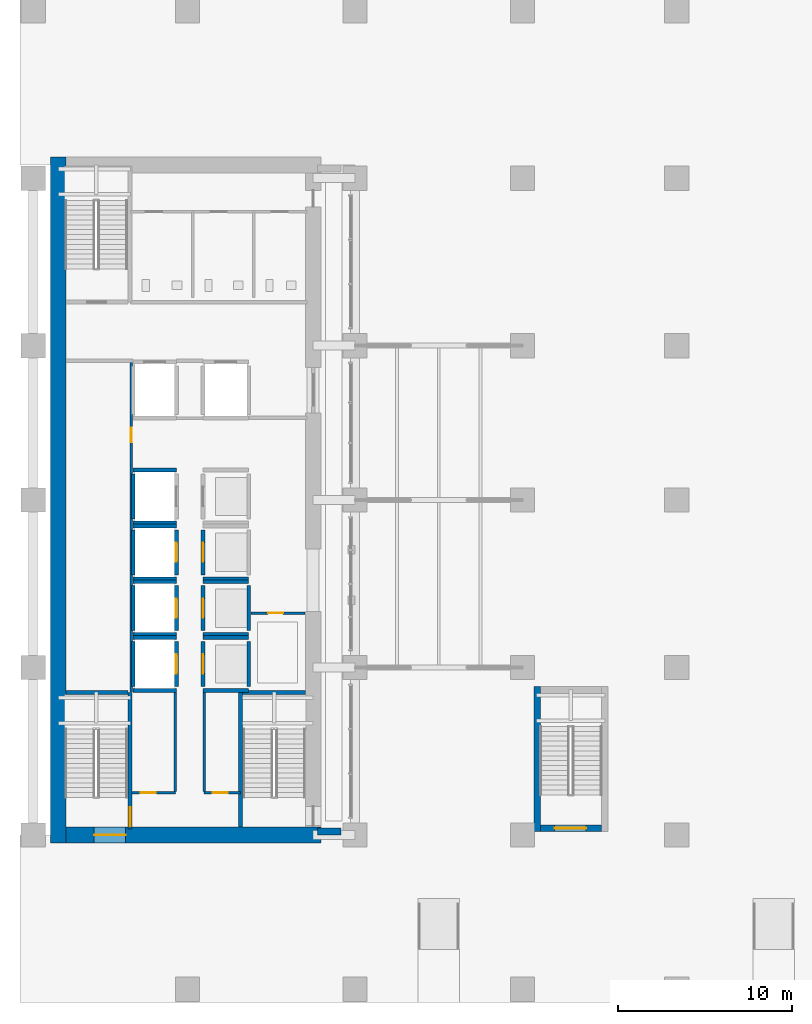
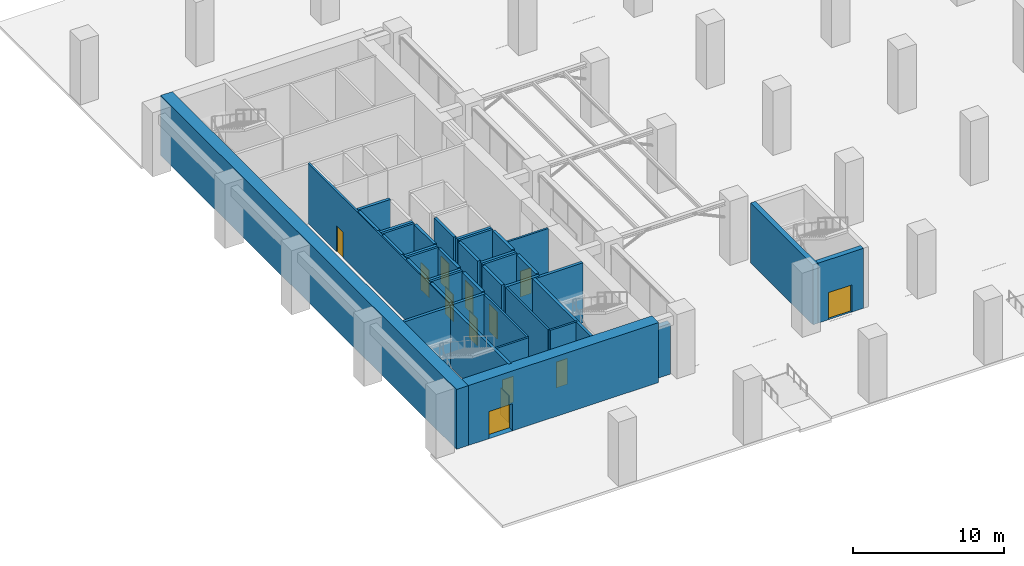
# One storey, part 4 of 24: 40 walls, 13 doors, 13 openings.
"""IFC4 building model written with IfcOpenShell, lengths in metres."""

from ifc_helpers import new_model, si_unit, direction, frame, frame_2d, origin, place, context, subcontext, project, spatial, rectangle, extrude, material, layer, layer_set, type_object, element, fill, save


model = new_model("IFC4")

# Units and contexts
model_context = context("Model", 3, precision=1e-05, world=origin(), true_north=direction((0.0, 1.0)))
body_context = subcontext(model_context, "Body", "Model", "MODEL_VIEW")
ifc_project = project(units=[si_unit("LENGTHUNIT", "METRE"), si_unit("AREAUNIT", "SQUARE_METRE"), si_unit("VOLUMEUNIT", "CUBIC_METRE"), si_unit("PLANEANGLEUNIT", "RADIAN"), si_unit("MASSUNIT", "GRAM", prefix="KILO")], contexts=[model_context])

# Site, building, storey
site_placement = place(None, origin())
site = spatial("IfcSite", under=ifc_project, at=site_placement, CompositionType="ELEMENT")
building_placement = place(site_placement, origin())
building = spatial("IfcBuilding", under=site, at=building_placement, Name="Norrvale University Quadrangle", CompositionType="ELEMENT")
storey_placement = place(building_placement, origin())
storey = spatial("IfcBuildingStorey", under=building, at=storey_placement, Name="L00", CompositionType="ELEMENT", Elevation=0.0)

# Wall, opening, door
ifc_material_1 = material(Name="Concrete C80/95", Category="concrete")
ifc_layer_1 = layer(ifc_material_1, 0.89990234375, Name="Concrete C80/95")
ifc_layer_set_1 = layer_set([ifc_layer_1], Name="Concrete C80/95")
wall_type_1 = type_object("IfcWallType", Name="Wall Core 900", PredefinedType="SHEAR", material=ifc_layer_set_1)
wall_1_placement = place(storey_placement, frame((2.64990234375, 9.60009765625, 0.0), z_axis=(0.0, 0.0, 1.0), x_axis=(1.0, 0.0, 0.0)))
wall_1 = element("IfcWall", 1, at=wall_1_placement, inside=storey, type_object=wall_type_1, Name="Tower Core Shear Wall L00-S", PredefinedType="SHEAR", context=body_context, shape_type="SweptSolid", body=[
    extrude(rectangle(XDim=14.60009765625, YDim=0.89990234375, at=frame_2d((7.300048828125, 0.0))), origin(), (0.0, 0.0, 1.0), 4.860107421875),
])
opening_1_placement = place(wall_1_placement, frame((1.60009765625, 0.0, 0.0)))
opening_1 = element("IfcOpeningElement", 2, at=opening_1_placement, cuts=wall_1, Name="Opening D03", PredefinedType="OPENING", context=body_context, shape_type="SweptSolid", body=[
    extrude(rectangle(XDim=1.800048828125, YDim=2.199951171875, at=frame_2d((0.89990234375, 1.10009765625))), frame((0.0, 0.4619140625, 0.0), z_axis=(0.0, -1.0, 0.0), x_axis=(1.0, 0.0, 0.0)), (0.0, 0.0, 1.0), 0.923828125),
])
ifc_material_2 = material(Name="Hollow Steel 350W Fire Door", Category="steel")
door_type_1 = type_object("IfcDoorType", Name="Door Fire Lobby 1800x2200", OperationType="DOUBLE_DOOR_SINGLE_SWING", PredefinedType="DOOR", material=ifc_material_2)
door_1_placement = place(opening_1_placement, frame((1.800048828125, 0.0, 0.0), z_axis=(0.0, 0.0, 1.0), x_axis=(-1.0, 0.0, 0.0)))
door_1 = element("IfcDoor", 3, at=door_1_placement, inside=storey, type_object=door_type_1, Name="Door Fire Lobby 1800x2200 DR-L00-ST01-EX", OperationType="DOUBLE_DOOR_SINGLE_SWING", OverallHeight=2.199951171875, OverallWidth=1.800048828125, PredefinedType="DOOR", context=body_context, shape_type="SweptSolid", body=[
    extrude(rectangle(XDim=1.800048828125, YDim=2.199951171875, at=frame_2d((0.89990234375, 1.10009765625))), frame((0.0, 0.02490234375, 0.0), z_axis=(0.0, -1.0, 0.0), x_axis=(1.0, 0.0, 0.0)), (0.0, 0.0, 1.0), 0.050048828125),
])
fill(opening_1, door_1)

# Wall
wall_2_placement = place(storey_placement, frame((2.199951171875, 9.14990234375, 0.0), z_axis=(0.0, 0.0, 1.0), x_axis=(0.0, 1.0, 0.0)))
element("IfcWall", 4, at=wall_2_placement, inside=storey, type_object=wall_type_1, Name="Tower Core Shear Wall L00-W", PredefinedType="SHEAR", context=body_context, shape_type="SweptSolid", body=[
    extrude(rectangle(XDim=39.300048828125, YDim=0.89990234375, at=frame_2d((19.64990234375, 0.0))), origin(), (0.0, 0.0, 1.0), 4.860107421875),
])

# Wall, opening, door
ifc_material_3 = material(Name="Fire-Rated Gypsum Stud Partition")
ifc_layer_2 = layer(ifc_material_3, 0.14990234375, Name="Fire-Rated Gypsum Stud Partition")
ifc_layer_set_2 = layer_set([ifc_layer_2], Name="Fire-Rated Gypsum Stud Partition")
wall_type_2 = type_object("IfcWallType", Name="Wall Gypsum Corridor 150", PredefinedType="PARTITIONING", material=ifc_layer_set_2)
wall_3_placement = place(storey_placement, frame((6.419921875, 12.02001953125, 0.0), z_axis=(0.0, 0.0, 1.0), x_axis=(1.0, 0.0, 0.0)))
wall_3 = element("IfcWall", 5, at=wall_3_placement, inside=storey, type_object=wall_type_2, Name="Interior Partition WL-L00-SC-NL", PredefinedType="PARTITIONING", context=body_context, shape_type="SweptSolid", body=[
    extrude(rectangle(XDim=2.47998046875, YDim=0.14990234375, at=frame_2d((1.239990234375, 0.0))), origin(), (0.0, 0.0, 1.0), 4.860107421875),
])
opening_2_placement = place(wall_3_placement, frame((0.5, 0.0, 0.0)))
opening_2 = element("IfcOpeningElement", 6, at=opening_2_placement, cuts=wall_3, Name="Opening D10", PredefinedType="OPENING", context=body_context, shape_type="SweptSolid", body=[
    extrude(rectangle(XDim=0.85009765625, YDim=2.10009765625, at=frame_2d((0.425048828125, 1.050048828125))), frame((0.0, 0.0869140625, 0.0), z_axis=(0.0, -1.0, 0.0), x_axis=(1.0, 0.0, 0.0)), (0.0, 0.0, 1.0), 0.173828125),
])
ifc_material_4 = material(Name="Hollow Steel 350W Riser Fire Door", Category="steel")
door_type_2 = type_object("IfcDoorType", Name="Door Riser 850x2100", OperationType="NOTDEFINED", PredefinedType="DOOR", material=ifc_material_4)
door_2_placement = place(opening_2_placement, origin())
door_2 = element("IfcDoor", 7, at=door_2_placement, inside=storey, type_object=door_type_2, Name="Door Riser 850x2100 DR-L00-ELEC", OperationType="SINGLE_SWING_LEFT", OverallHeight=2.10009765625, OverallWidth=0.85009765625, PredefinedType="DOOR", context=body_context, shape_type="SweptSolid", body=[
    extrude(rectangle(XDim=0.85009765625, YDim=2.10009765625, at=frame_2d((0.425048828125, 1.050048828125))), frame((0.0, 0.02490234375, 0.0), z_axis=(0.0, -1.0, 0.0), x_axis=(1.0, 0.0, 0.0)), (0.0, 0.0, 1.0), 0.050048828125),
])
fill(opening_2, door_2)

wall_4_placement = place(storey_placement, frame((10.550048828125, 12.02001953125, 0.0), z_axis=(0.0, 0.0, 1.0), x_axis=(1.0, 0.0, 0.0)))
wall_4 = element("IfcWall", 8, at=wall_4_placement, inside=storey, type_object=wall_type_2, Name="Interior Partition WL-L00-SC-NR", PredefinedType="PARTITIONING", context=body_context, shape_type="SweptSolid", body=[
    extrude(rectangle(XDim=2.079833984375, YDim=0.14990234375, at=frame_2d((1.0400390625, 0.0))), origin(), (0.0, 0.0, 1.0), 4.860107421875),
])
opening_3_placement = place(wall_4_placement, frame((0.5, 0.0, 0.0)))
opening_3 = element("IfcOpeningElement", 9, at=opening_3_placement, cuts=wall_4, Name="Opening D10", PredefinedType="OPENING", context=body_context, shape_type="SweptSolid", body=[
    extrude(rectangle(XDim=0.85009765625, YDim=2.10009765625, at=frame_2d((0.425048828125, 1.050048828125))), frame((0.0, 0.0869140625, 0.0), z_axis=(0.0, -1.0, 0.0), x_axis=(1.0, 0.0, 0.0)), (0.0, 0.0, 1.0), 0.173828125),
])
door_3_placement = place(opening_3_placement, origin())
door_3 = element("IfcDoor", 10, at=door_3_placement, inside=storey, type_object=door_type_2, Name="Door Riser 850x2100 DR-L00-IDF", OperationType="SINGLE_SWING_RIGHT", OverallHeight=2.10009765625, OverallWidth=0.85009765625, PredefinedType="DOOR", context=body_context, shape_type="SweptSolid", body=[
    extrude(rectangle(XDim=0.85009765625, YDim=2.10009765625, at=frame_2d((0.425048828125, 1.050048828125))), frame((0.0, 0.02490234375, 0.0), z_axis=(0.0, -1.0, 0.0), x_axis=(1.0, 0.0, 0.0)), (0.0, 0.0, 1.0), 0.050048828125),
])
fill(opening_3, door_3)

# Walls
for number, where, z_axis, x_axis, name in (
    (11, (8.89990234375, 12.094970703125, 0.0), (0.0, 0.0, 1.0), (0.0, 1.0, 0.0), "Interior Partition WL-L00-SC-WL"),
    (12, (10.550048828125, 12.094970703125, 0.0), (0.0, 0.0, 1.0), (0.0, 1.0, 0.0), "Interior Partition WL-L00-SC-WR"),
):
    element("IfcWall", number, at=place(storey_placement, frame(where, z_axis=z_axis, x_axis=x_axis)), inside=storey, type_object=wall_type_2, Name=name, PredefinedType="PARTITIONING", context=body_context, shape_type="SweptSolid", body=[
        extrude(rectangle(XDim=5.679931640625, YDim=0.14990234375, at=frame_2d((2.83984375, 0.0))), origin(), (0.0, 0.0, 1.0), 4.860107421875),
    ])

# Wall, opening, door
wall_5_placement = place(storey_placement, frame((13.22509765625, 22.320068359375, 0.0), z_axis=(0.0, 0.0, 1.0), x_axis=(1.0, 0.0, 0.0)))
wall_5 = element("IfcWall", 13, at=wall_5_placement, inside=storey, type_object=wall_type_2, Name="Interior Partition WL-L00-JAN-N", PredefinedType="PARTITIONING", context=body_context, shape_type="SweptSolid", body=[
    extrude(rectangle(XDim=3.119873046875, YDim=0.14990234375, at=frame_2d((1.56005859375, 0.0))), origin(), (0.0, 0.0, 1.0), 4.860107421875),
])
opening_4_placement = place(wall_5_placement, frame((1.0, 0.0, 0.0)))
opening_4 = element("IfcOpeningElement", 14, at=opening_4_placement, cuts=wall_5, Name="Opening D10", PredefinedType="OPENING", context=body_context, shape_type="SweptSolid", body=[
    extrude(rectangle(XDim=0.85009765625, YDim=2.10009765625, at=frame_2d((0.425048828125, 1.050048828125))), frame((0.0, 0.0869140625, 0.0), z_axis=(0.0, -1.0, 0.0), x_axis=(1.0, 0.0, 0.0)), (0.0, 0.0, 1.0), 0.173828125),
])
door_4_placement = place(opening_4_placement, origin())
door_4 = element("IfcDoor", 15, at=door_4_placement, inside=storey, type_object=door_type_2, Name="Door Riser 850x2100 DR-L00-JAN", OperationType="SINGLE_SWING_LEFT", OverallHeight=2.10009765625, OverallWidth=0.85009765625, PredefinedType="DOOR", context=body_context, shape_type="SweptSolid", body=[
    extrude(rectangle(XDim=0.85009765625, YDim=2.10009765625, at=frame_2d((0.425048828125, 1.050048828125))), frame((0.0, 0.02490234375, 0.0), z_axis=(0.0, -1.0, 0.0), x_axis=(1.0, 0.0, 0.0)), (0.0, 0.0, 1.0), 0.050048828125),
])
fill(opening_4, door_4)

wall_6_placement = place(storey_placement, frame((6.3798828125, 17.800048828125, 0.0), z_axis=(0.0, 0.0, 1.0), x_axis=(0.0, 1.0, 0.0)))
wall_6 = element("IfcWall", 16, at=wall_6_placement, inside=storey, type_object=wall_type_2, Name="Interior Partition WL-L00-WME-E", PredefinedType="PARTITIONING", context=body_context, shape_type="SweptSolid", body=[
    extrude(rectangle(XDim=18.97998046875, YDim=0.14990234375, at=frame_2d((9.489990234375, 0.0))), origin(), (0.0, 0.0, 1.0), 4.860107421875),
])
opening_5_placement = place(wall_6_placement, frame((14.300048828125, 0.0, 0.0)))
opening_5 = element("IfcOpeningElement", 17, at=opening_5_placement, cuts=wall_6, Name="Opening D10", PredefinedType="OPENING", context=body_context, shape_type="SweptSolid", body=[
    extrude(rectangle(XDim=0.85009765625, YDim=2.10009765625, at=frame_2d((0.425048828125, 1.050048828125))), frame((0.0, 0.0869140625, 0.0), z_axis=(0.0, -1.0, 0.0), x_axis=(1.0, 0.0, 0.0)), (0.0, 0.0, 1.0), 0.173828125),
])
door_5_placement = place(opening_5_placement, origin())
door_5 = element("IfcDoor", 18, at=door_5_placement, inside=storey, type_object=door_type_2, Name="Door Riser 850x2100 DR-L00-WME", OperationType="SINGLE_SWING_LEFT", OverallHeight=2.10009765625, OverallWidth=0.85009765625, PredefinedType="DOOR", context=body_context, shape_type="SweptSolid", body=[
    extrude(rectangle(XDim=0.85009765625, YDim=2.10009765625, at=frame_2d((0.425048828125, 1.050048828125))), frame((0.0, 0.02490234375, 0.0), z_axis=(0.0, -1.0, 0.0), x_axis=(1.0, 0.0, 0.0)), (0.0, 0.0, 1.0), 0.050048828125),
])
fill(opening_5, door_5)

ifc_material_5 = material(Name="Buff Norman Clay Brick Masonry", Category="masonry")
ifc_layer_3 = layer(ifc_material_5, 0.3798828125, Name="Buff Norman Clay Brick Masonry")
ifc_layer_set_3 = layer_set([ifc_layer_3], Name="Buff Norman Clay Brick Masonry")
wall_type_3 = type_object("IfcWallType", Name="Wall Lib Brick 380", PredefinedType="SOLIDWALL", material=ifc_layer_set_3)
wall_7_placement = place(storey_placement, frame((29.830078125, 9.989990234375, 0.0), z_axis=(0.0, 0.0, 1.0), x_axis=(1.0, 0.0, 0.0)))
wall_7 = element("IfcWall", 19, at=wall_7_placement, inside=storey, type_object=wall_type_3, Name="Stair ST-04 South Shaft Wall L00", PredefinedType="SOLIDWALL", context=body_context, shape_type="SweptSolid", body=[
    extrude(rectangle(XDim=3.489990234375, YDim=0.3798828125, at=frame_2d((1.7451171875, 0.0))), origin(), (0.0, 0.0, 1.0), 4.860107421875),
])
opening_6_placement = place(wall_7_placement, frame((0.81005859375, 0.0, 0.0)))
opening_6 = element("IfcOpeningElement", 20, at=opening_6_placement, cuts=wall_7, Name="Opening D03", PredefinedType="OPENING", context=body_context, shape_type="SweptSolid", body=[
    extrude(rectangle(XDim=1.800048828125, YDim=2.199951171875, at=frame_2d((0.89990234375, 1.10009765625))), frame((0.0, 0.201904296875, 0.0), z_axis=(0.0, -1.0, 0.0), x_axis=(1.0, 0.0, 0.0)), (0.0, 0.0, 1.0), 0.40380859375),
])
door_6_placement = place(opening_6_placement, frame((1.800048828125, 0.0, 0.0), z_axis=(0.0, 0.0, 1.0), x_axis=(-1.0, 0.0, 0.0)))
door_6 = element("IfcDoor", 21, at=door_6_placement, inside=storey, type_object=door_type_1, Name="Door Fire Lobby 1800x2200 DR-L00-ST04", OperationType="DOUBLE_DOOR_SINGLE_SWING", OverallHeight=2.199951171875, OverallWidth=1.800048828125, PredefinedType="DOOR", context=body_context, shape_type="SweptSolid", body=[
    extrude(rectangle(XDim=1.800048828125, YDim=2.199951171875, at=frame_2d((0.89990234375, 1.10009765625))), frame((0.0, 0.02490234375, 0.0), z_axis=(0.0, -1.0, 0.0), x_axis=(1.0, 0.0, 0.0)), (0.0, 0.0, 1.0), 0.050048828125),
])
fill(opening_6, door_6)

# Walls
wall_8_placement = place(storey_placement, frame((29.639892578125, 9.800048828125, 0.0), z_axis=(0.0, 0.0, 1.0), x_axis=(0.0, 1.0, 0.0)))
element("IfcWall", 22, at=wall_8_placement, inside=storey, type_object=wall_type_3, Name="Stair ST-04 West Shaft Wall L00", PredefinedType="SOLIDWALL", context=body_context, shape_type="SweptSolid", body=[
    extrude(rectangle(XDim=8.300048828125, YDim=0.3798828125, at=frame_2d((4.14990234375, 0.0))), origin(), (0.0, 0.0, 1.0), 4.860107421875),
])
ifc_material_6 = material(Name="Red Manganese Brick Masonry", Category="masonry")
ifc_layer_4 = layer(ifc_material_6, 0.39990234375, Name="Red Manganese Brick Masonry")
ifc_layer_set_4 = layer_set([ifc_layer_4], Name="Red Manganese Brick Masonry")
wall_type_4 = type_object("IfcWallType", Name="Wall Red Brick 400", PredefinedType="SOLIDWALL", material=ifc_layer_set_4)
wall_9_placement = place(storey_placement, frame((17.050048828125, 9.800048828125, 0.0), z_axis=(0.0, 0.0, 1.0), x_axis=(1.0, 0.0, 0.0)))
element("IfcWall", 23, at=wall_9_placement, inside=storey, type_object=wall_type_4, Name="Pilotis Lobby South End Wall L00", PredefinedType="SOLIDWALL", context=body_context, shape_type="SweptSolid", body=[
    extrude(rectangle(XDim=1.349853515625, YDim=0.39990234375, at=frame_2d((0.6748046875, 0.0))), origin(), (0.0, 0.0, 1.0), 4.110107421875),
])

# Wall, opening, door
ifc_material_7 = material(Name="Concrete Blockwork 20 MPa Fire Shaft", Category="masonry")
ifc_layer_5 = layer(ifc_material_7, 0.219970703125, Name="Concrete Blockwork 20 MPa Fire Shaft")
ifc_layer_set_5 = layer_set([ifc_layer_5], Name="Concrete Blockwork 20 MPa Fire Shaft")
wall_type_5 = type_object("IfcWallType", Name="Wall Shaft 220", PredefinedType="SOLIDWALL", material=ifc_layer_set_5)
wall_10_placement = place(storey_placement, frame((6.31005859375, 9.949951171875, 0.0), z_axis=(0.0, 0.0, 1.0), x_axis=(0.0, 1.0, 0.0)))
wall_10 = element("IfcWall", 24, at=wall_10_placement, inside=storey, type_object=wall_type_5, Name="Stair ST-01 East Shaft Wall L00", PredefinedType="SOLIDWALL", context=body_context, shape_type="SweptSolid", body=[
    extrude(rectangle(XDim=7.81005859375, YDim=0.219970703125, at=frame_2d((3.905029296875, 0.0))), origin(), (0.0, 0.0, 1.0), 4.860107421875),
])
opening_7_placement = place(wall_10_placement, frame((0.139892578125, 0.0, 0.0)))
opening_7 = element("IfcOpeningElement", 25, at=opening_7_placement, cuts=wall_10, Name="Opening D02", PredefinedType="OPENING", context=body_context, shape_type="SweptSolid", body=[
    extrude(rectangle(XDim=1.10009765625, YDim=2.199951171875, at=frame_2d((0.550048828125, 1.10009765625))), frame((0.0, 0.1220703125, 0.0), z_axis=(0.0, -1.0, 0.0), x_axis=(1.0, 0.0, 0.0)), (0.0, 0.0, 1.0), 0.243896484375),
])
door_type_3 = type_object("IfcDoorType", Name="Door Stair Exit 1100x2200", OperationType="NOTDEFINED", PredefinedType="DOOR", material=ifc_material_2)
door_7_placement = place(opening_7_placement, frame((1.10009765625, 0.0, 0.0), z_axis=(0.0, 0.0, 1.0), x_axis=(-1.0, 0.0, 0.0)))
door_7 = element("IfcDoor", 26, at=door_7_placement, inside=storey, type_object=door_type_3, Name="Door Stair Exit 1100x2200 DR-L00-ST01", OperationType="SINGLE_SWING_LEFT", OverallHeight=2.199951171875, OverallWidth=1.10009765625, PredefinedType="DOOR", context=body_context, shape_type="SweptSolid", body=[
    extrude(rectangle(XDim=1.10009765625, YDim=2.199951171875, at=frame_2d((0.550048828125, 1.10009765625))), frame((0.0, 0.02490234375, 0.0), z_axis=(0.0, -1.0, 0.0), x_axis=(1.0, 0.0, 0.0)), (0.0, 0.0, 1.0), 0.050048828125),
])
fill(opening_7, door_7)

# Walls
wall_11_placement = place(storey_placement, frame((2.64990234375, 17.760009765625, 0.0), z_axis=(0.0, 0.0, 1.0), x_axis=(1.0, 0.0, 0.0)))
element("IfcWall", 27, at=wall_11_placement, inside=storey, type_object=wall_type_5, Name="Stair ST-01 North Shaft Wall L00", PredefinedType="SOLIDWALL", context=body_context, shape_type="SweptSolid", body=[
    extrude(rectangle(XDim=3.550048828125, YDim=0.219970703125, at=frame_2d((1.77490234375, 0.0))), origin(), (0.0, 0.0, 1.0), 4.860107421875),
])
wall_12_placement = place(storey_placement, frame((12.639892578125, 10.050048828125, 0.0), z_axis=(0.0, 0.0, 1.0), x_axis=(0.0, 1.0, 0.0)))
element("IfcWall", 28, at=wall_12_placement, inside=storey, type_object=wall_type_5, Name="Stair ST-03 West Shaft Wall L00", PredefinedType="SOLIDWALL", context=body_context, shape_type="SweptSolid", body=[
    extrude(rectangle(XDim=7.7099609375, YDim=0.219970703125, at=frame_2d((3.85498046875, 0.0))), origin(), (0.0, 0.0, 1.0), 4.860107421875),
])
wall_13_placement = place(storey_placement, frame((12.75, 17.760009765625, 0.0), z_axis=(0.0, 0.0, 1.0), x_axis=(1.0, 0.0, 0.0)))
element("IfcWall", 29, at=wall_13_placement, inside=storey, type_object=wall_type_5, Name="Stair ST-03 North Shaft Wall L00", PredefinedType="SOLIDWALL", context=body_context, shape_type="SweptSolid", body=[
    extrude(rectangle(XDim=3.60009765625, YDim=0.219970703125, at=frame_2d((1.800048828125, 0.0))), origin(), (0.0, 0.0, 1.0), 4.860107421875),
])
wall_14_placement = place(storey_placement, frame((6.489990234375, 18.110107421875, 0.0), z_axis=(0.0, 0.0, 1.0), x_axis=(0.0, 1.0, 0.0)))
element("IfcWall", 30, at=wall_14_placement, inside=storey, type_object=wall_type_5, Name="Hoistway PL-01 West Wall L00", PredefinedType="SOLIDWALL", context=body_context, shape_type="SweptSolid", body=[
    extrude(rectangle(XDim=2.579833984375, YDim=0.219970703125, at=frame_2d((1.2900390625, 0.0))), origin(), (0.0, 0.0, 1.0), 4.860107421875),
])

# Wall, opening, door
wall_15_placement = place(storey_placement, frame((8.9599609375, 18.110107421875, 0.0), z_axis=(0.0, 0.0, 1.0), x_axis=(0.0, 1.0, 0.0)))
wall_15 = element("IfcWall", 31, at=wall_15_placement, inside=storey, type_object=wall_type_5, Name="Hoistway PL-01 East Wall L00", PredefinedType="SOLIDWALL", context=body_context, shape_type="SweptSolid", body=[
    extrude(rectangle(XDim=2.579833984375, YDim=0.219970703125, at=frame_2d((1.2900390625, 0.0))), origin(), (0.0, 0.0, 1.0), 4.860107421875),
])
opening_8_placement = place(wall_15_placement, frame((0.739990234375, 0.0, 0.0)))
opening_8 = element("IfcOpeningElement", 32, at=opening_8_placement, cuts=wall_15, Name="Opening LD1", PredefinedType="OPENING", context=body_context, shape_type="SweptSolid", body=[
    extrude(rectangle(XDim=1.10009765625, YDim=2.199951171875, at=frame_2d((0.550048828125, 1.10009765625))), frame((0.0, 0.1220703125, 0.0), z_axis=(0.0, -1.0, 0.0), x_axis=(1.0, 0.0, 0.0)), (0.0, 0.0, 1.0), 0.243896484375),
])
ifc_material_8 = material(Name="Stainless Steel 316L Lift Landing Door", Category="steel")
door_type_4 = type_object("IfcDoorType", Name="Door Lift Landing 1100x2200", OperationType="DOUBLE_DOOR_SLIDING", PredefinedType="DOOR", material=ifc_material_8)
door_8_placement = place(opening_8_placement, origin())
door_8 = element("IfcDoor", 33, at=door_8_placement, inside=storey, type_object=door_type_4, Name="Elevator Landing Door DR-L00-PL-01", OperationType="DOUBLE_DOOR_SLIDING", OverallHeight=2.199951171875, OverallWidth=1.10009765625, PredefinedType="DOOR", context=body_context, shape_type="SweptSolid", body=[
    extrude(rectangle(XDim=1.10009765625, YDim=2.199951171875, at=frame_2d((0.550048828125, 1.10009765625))), frame((0.0, 0.02490234375, 0.0), z_axis=(0.0, -1.0, 0.0), x_axis=(1.0, 0.0, 0.0)), (0.0, 0.0, 1.0), 0.050048828125),
])
fill(opening_8, door_8)

# Walls
for number, where, z_axis, x_axis, name in (
    (34, (6.489990234375, 17.889892578125, 0.0), (0.0, 0.0, 1.0), (1.0, 0.0, 0.0), "Hoistway PL-01 South Wall L00"),
    (35, (6.489990234375, 20.909912109375, 0.0), (0.0, 0.0, 1.0), (1.0, 0.0, 0.0), "Hoistway PL-01 North Wall L00"),
):
    element("IfcWall", number, at=place(storey_placement, frame(where, z_axis=z_axis, x_axis=x_axis)), inside=storey, type_object=wall_type_5, Name=name, PredefinedType="SOLIDWALL", context=body_context, shape_type="SweptSolid", body=[
        extrude(rectangle(XDim=2.469970703125, YDim=0.219970703125, at=frame_2d((1.23486328125, 0.0))), origin(), (0.0, 0.0, 1.0), 4.860107421875),
    ])
wall_16_placement = place(storey_placement, frame((6.489990234375, 21.31005859375, 0.0), z_axis=(0.0, 0.0, 1.0), x_axis=(0.0, 1.0, 0.0)))
element("IfcWall", 36, at=wall_16_placement, inside=storey, type_object=wall_type_5, Name="Hoistway PL-02 West Wall L00", PredefinedType="SOLIDWALL", context=body_context, shape_type="SweptSolid", body=[
    extrude(rectangle(XDim=2.579833984375, YDim=0.219970703125, at=frame_2d((1.2900390625, 0.0))), origin(), (0.0, 0.0, 1.0), 4.860107421875),
])

# Wall, opening, door
wall_17_placement = place(storey_placement, frame((8.9599609375, 21.31005859375, 0.0), z_axis=(0.0, 0.0, 1.0), x_axis=(0.0, 1.0, 0.0)))
wall_17 = element("IfcWall", 37, at=wall_17_placement, inside=storey, type_object=wall_type_5, Name="Hoistway PL-02 East Wall L00", PredefinedType="SOLIDWALL", context=body_context, shape_type="SweptSolid", body=[
    extrude(rectangle(XDim=2.579833984375, YDim=0.219970703125, at=frame_2d((1.2900390625, 0.0))), origin(), (0.0, 0.0, 1.0), 4.860107421875),
])
opening_9_placement = place(wall_17_placement, frame((0.739990234375, 0.0, 0.0)))
opening_9 = element("IfcOpeningElement", 38, at=opening_9_placement, cuts=wall_17, Name="Opening LD1", PredefinedType="OPENING", context=body_context, shape_type="SweptSolid", body=[
    extrude(rectangle(XDim=1.10009765625, YDim=2.199951171875, at=frame_2d((0.550048828125, 1.10009765625))), frame((0.0, 0.1220703125, 0.0), z_axis=(0.0, -1.0, 0.0), x_axis=(1.0, 0.0, 0.0)), (0.0, 0.0, 1.0), 0.243896484375),
])
door_9_placement = place(opening_9_placement, origin())
door_9 = element("IfcDoor", 39, at=door_9_placement, inside=storey, type_object=door_type_4, Name="Elevator Landing Door DR-L00-PL-02", OperationType="DOUBLE_DOOR_SLIDING", OverallHeight=2.199951171875, OverallWidth=1.10009765625, PredefinedType="DOOR", context=body_context, shape_type="SweptSolid", body=[
    extrude(rectangle(XDim=1.10009765625, YDim=2.199951171875, at=frame_2d((0.550048828125, 1.10009765625))), frame((0.0, 0.02490234375, 0.0), z_axis=(0.0, -1.0, 0.0), x_axis=(1.0, 0.0, 0.0)), (0.0, 0.0, 1.0), 0.050048828125),
])
fill(opening_9, door_9)

# Walls
for number, where, z_axis, x_axis, name in (
    (40, (6.489990234375, 21.090087890625, 0.0), (0.0, 0.0, 1.0), (1.0, 0.0, 0.0), "Hoistway PL-02 South Wall L00"),
    (41, (6.489990234375, 24.110107421875, 0.0), (0.0, 0.0, 1.0), (1.0, 0.0, 0.0), "Hoistway PL-02 North Wall L00"),
):
    element("IfcWall", number, at=place(storey_placement, frame(where, z_axis=z_axis, x_axis=x_axis)), inside=storey, type_object=wall_type_5, Name=name, PredefinedType="SOLIDWALL", context=body_context, shape_type="SweptSolid", body=[
        extrude(rectangle(XDim=2.469970703125, YDim=0.219970703125, at=frame_2d((1.23486328125, 0.0))), origin(), (0.0, 0.0, 1.0), 4.860107421875),
    ])
wall_18_placement = place(storey_placement, frame((6.489990234375, 24.510009765625, 0.0), z_axis=(0.0, 0.0, 1.0), x_axis=(0.0, 1.0, 0.0)))
element("IfcWall", 42, at=wall_18_placement, inside=storey, type_object=wall_type_5, Name="Hoistway PL-03 West Wall L00", PredefinedType="SOLIDWALL", context=body_context, shape_type="SweptSolid", body=[
    extrude(rectangle(XDim=2.580078125, YDim=0.219970703125, at=frame_2d((1.2900390625, 0.0))), origin(), (0.0, 0.0, 1.0), 4.860107421875),
])

# Wall, opening, door
wall_19_placement = place(storey_placement, frame((8.9599609375, 24.510009765625, 0.0), z_axis=(0.0, 0.0, 1.0), x_axis=(0.0, 1.0, 0.0)))
wall_19 = element("IfcWall", 43, at=wall_19_placement, inside=storey, type_object=wall_type_5, Name="Hoistway PL-03 East Wall L00", PredefinedType="SOLIDWALL", context=body_context, shape_type="SweptSolid", body=[
    extrude(rectangle(XDim=2.580078125, YDim=0.219970703125, at=frame_2d((1.2900390625, 0.0))), origin(), (0.0, 0.0, 1.0), 4.860107421875),
])
opening_10_placement = place(wall_19_placement, frame((0.739990234375, 0.0, 0.0)))
opening_10 = element("IfcOpeningElement", 44, at=opening_10_placement, cuts=wall_19, Name="Opening LD1", PredefinedType="OPENING", context=body_context, shape_type="SweptSolid", body=[
    extrude(rectangle(XDim=1.10009765625, YDim=2.199951171875, at=frame_2d((0.550048828125, 1.10009765625))), frame((0.0, 0.1220703125, 0.0), z_axis=(0.0, -1.0, 0.0), x_axis=(1.0, 0.0, 0.0)), (0.0, 0.0, 1.0), 0.243896484375),
])
door_10_placement = place(opening_10_placement, origin())
door_10 = element("IfcDoor", 45, at=door_10_placement, inside=storey, type_object=door_type_4, Name="Elevator Landing Door DR-L00-PL-03", OperationType="DOUBLE_DOOR_SLIDING", OverallHeight=2.199951171875, OverallWidth=1.10009765625, PredefinedType="DOOR", context=body_context, shape_type="SweptSolid", body=[
    extrude(rectangle(XDim=1.10009765625, YDim=2.199951171875, at=frame_2d((0.550048828125, 1.10009765625))), frame((0.0, 0.02490234375, 0.0), z_axis=(0.0, -1.0, 0.0), x_axis=(1.0, 0.0, 0.0)), (0.0, 0.0, 1.0), 0.050048828125),
])
fill(opening_10, door_10)

# Walls
for number, where, z_axis, x_axis, name in (
    (46, (6.489990234375, 24.2900390625, 0.0), (0.0, 0.0, 1.0), (1.0, 0.0, 0.0), "Hoistway PL-03 South Wall L00"),
    (47, (6.489990234375, 27.31005859375, 0.0), (0.0, 0.0, 1.0), (1.0, 0.0, 0.0), "Hoistway PL-03 North Wall L00"),
):
    element("IfcWall", number, at=place(storey_placement, frame(where, z_axis=z_axis, x_axis=x_axis)), inside=storey, type_object=wall_type_5, Name=name, PredefinedType="SOLIDWALL", context=body_context, shape_type="SweptSolid", body=[
        extrude(rectangle(XDim=2.469970703125, YDim=0.219970703125, at=frame_2d((1.23486328125, 0.0))), origin(), (0.0, 0.0, 1.0), 4.860107421875),
    ])
wall_20_placement = place(storey_placement, frame((6.489990234375, 27.7099609375, 0.0), z_axis=(0.0, 0.0, 1.0), x_axis=(0.0, 1.0, 0.0)))
element("IfcWall", 48, at=wall_20_placement, inside=storey, type_object=wall_type_5, Name="Hoistway PL-04 West Wall L00", PredefinedType="SOLIDWALL", context=body_context, shape_type="SweptSolid", body=[
    extrude(rectangle(XDim=2.580078125, YDim=0.219970703125, at=frame_2d((1.2900390625, 0.0))), origin(), (0.0, 0.0, 1.0), 4.860107421875),
])
for number, where, z_axis, x_axis, name in (
    (49, (6.489990234375, 27.489990234375, 0.0), (0.0, 0.0, 1.0), (1.0, 0.0, 0.0), "Hoistway PL-04 South Wall L00"),
    (50, (6.489990234375, 30.510009765625, 0.0), (0.0, 0.0, 1.0), (1.0, 0.0, 0.0), "Hoistway PL-04 North Wall L00"),
):
    element("IfcWall", number, at=place(storey_placement, frame(where, z_axis=z_axis, x_axis=x_axis)), inside=storey, type_object=wall_type_5, Name=name, PredefinedType="SOLIDWALL", context=body_context, shape_type="SweptSolid", body=[
        extrude(rectangle(XDim=2.469970703125, YDim=0.219970703125, at=frame_2d((1.23486328125, 0.0))), origin(), (0.0, 0.0, 1.0), 4.860107421875),
    ])

# Wall, opening, door
wall_21_placement = place(storey_placement, frame((10.489990234375, 18.110107421875, 0.0), z_axis=(0.0, 0.0, 1.0), x_axis=(0.0, 1.0, 0.0)))
wall_21 = element("IfcWall", 51, at=wall_21_placement, inside=storey, type_object=wall_type_5, Name="Hoistway PL-05 West Wall L00", PredefinedType="SOLIDWALL", context=body_context, shape_type="SweptSolid", body=[
    extrude(rectangle(XDim=2.579833984375, YDim=0.219970703125, at=frame_2d((1.2900390625, 0.0))), origin(), (0.0, 0.0, 1.0), 4.860107421875),
])
opening_11_placement = place(wall_21_placement, frame((0.739990234375, 0.0, 0.0)))
opening_11 = element("IfcOpeningElement", 52, at=opening_11_placement, cuts=wall_21, Name="Opening LD1", PredefinedType="OPENING", context=body_context, shape_type="SweptSolid", body=[
    extrude(rectangle(XDim=1.10009765625, YDim=2.199951171875, at=frame_2d((0.550048828125, 1.10009765625))), frame((0.0, 0.1220703125, 0.0), z_axis=(0.0, -1.0, 0.0), x_axis=(1.0, 0.0, 0.0)), (0.0, 0.0, 1.0), 0.243896484375),
])
door_11_placement = place(opening_11_placement, origin())
door_11 = element("IfcDoor", 53, at=door_11_placement, inside=storey, type_object=door_type_4, Name="Elevator Landing Door DR-L00-PL-05", OperationType="DOUBLE_DOOR_SLIDING", OverallHeight=2.199951171875, OverallWidth=1.10009765625, PredefinedType="DOOR", context=body_context, shape_type="SweptSolid", body=[
    extrude(rectangle(XDim=1.10009765625, YDim=2.199951171875, at=frame_2d((0.550048828125, 1.10009765625))), frame((0.0, 0.02490234375, 0.0), z_axis=(0.0, -1.0, 0.0), x_axis=(1.0, 0.0, 0.0)), (0.0, 0.0, 1.0), 0.050048828125),
])
fill(opening_11, door_11)

# Walls
wall_22_placement = place(storey_placement, frame((13.110107421875, 18.110107421875, 0.0), z_axis=(0.0, 0.0, 1.0), x_axis=(0.0, 1.0, 0.0)))
element("IfcWall", 54, at=wall_22_placement, inside=storey, type_object=wall_type_5, Name="Hoistway PL-05 East Wall L00", PredefinedType="SOLIDWALL", context=body_context, shape_type="SweptSolid", body=[
    extrude(rectangle(XDim=2.579833984375, YDim=0.219970703125, at=frame_2d((1.2900390625, 0.0))), origin(), (0.0, 0.0, 1.0), 4.860107421875),
])
for number, where, z_axis, x_axis, name in (
    (55, (10.489990234375, 17.889892578125, 0.0), (0.0, 0.0, 1.0), (1.0, 0.0, 0.0), "Hoistway PL-05 South Wall L00"),
    (56, (10.489990234375, 20.909912109375, 0.0), (0.0, 0.0, 1.0), (1.0, 0.0, 0.0), "Hoistway PL-05 North Wall L00"),
):
    element("IfcWall", number, at=place(storey_placement, frame(where, z_axis=z_axis, x_axis=x_axis)), inside=storey, type_object=wall_type_5, Name=name, PredefinedType="SOLIDWALL", context=body_context, shape_type="SweptSolid", body=[
        extrude(rectangle(XDim=2.6201171875, YDim=0.219970703125, at=frame_2d((1.31005859375, 0.0))), origin(), (0.0, 0.0, 1.0), 4.860107421875),
    ])

# Wall, opening, door
wall_23_placement = place(storey_placement, frame((10.489990234375, 21.31005859375, 0.0), z_axis=(0.0, 0.0, 1.0), x_axis=(0.0, 1.0, 0.0)))
wall_23 = element("IfcWall", 57, at=wall_23_placement, inside=storey, type_object=wall_type_5, Name="Hoistway PL-06 West Wall L00", PredefinedType="SOLIDWALL", context=body_context, shape_type="SweptSolid", body=[
    extrude(rectangle(XDim=2.579833984375, YDim=0.219970703125, at=frame_2d((1.2900390625, 0.0))), origin(), (0.0, 0.0, 1.0), 4.860107421875),
])
opening_12_placement = place(wall_23_placement, frame((0.739990234375, 0.0, 0.0)))
opening_12 = element("IfcOpeningElement", 58, at=opening_12_placement, cuts=wall_23, Name="Opening LD1", PredefinedType="OPENING", context=body_context, shape_type="SweptSolid", body=[
    extrude(rectangle(XDim=1.10009765625, YDim=2.199951171875, at=frame_2d((0.550048828125, 1.10009765625))), frame((0.0, 0.1220703125, 0.0), z_axis=(0.0, -1.0, 0.0), x_axis=(1.0, 0.0, 0.0)), (0.0, 0.0, 1.0), 0.243896484375),
])
door_12_placement = place(opening_12_placement, origin())
door_12 = element("IfcDoor", 59, at=door_12_placement, inside=storey, type_object=door_type_4, Name="Elevator Landing Door DR-L00-PL-06", OperationType="DOUBLE_DOOR_SLIDING", OverallHeight=2.199951171875, OverallWidth=1.10009765625, PredefinedType="DOOR", context=body_context, shape_type="SweptSolid", body=[
    extrude(rectangle(XDim=1.10009765625, YDim=2.199951171875, at=frame_2d((0.550048828125, 1.10009765625))), frame((0.0, 0.02490234375, 0.0), z_axis=(0.0, -1.0, 0.0), x_axis=(1.0, 0.0, 0.0)), (0.0, 0.0, 1.0), 0.050048828125),
])
fill(opening_12, door_12)

# Walls
wall_24_placement = place(storey_placement, frame((13.110107421875, 21.31005859375, 0.0), z_axis=(0.0, 0.0, 1.0), x_axis=(0.0, 1.0, 0.0)))
element("IfcWall", 60, at=wall_24_placement, inside=storey, type_object=wall_type_5, Name="Hoistway PL-06 East Wall L00", PredefinedType="SOLIDWALL", context=body_context, shape_type="SweptSolid", body=[
    extrude(rectangle(XDim=2.579833984375, YDim=0.219970703125, at=frame_2d((1.2900390625, 0.0))), origin(), (0.0, 0.0, 1.0), 4.860107421875),
])
for number, where, z_axis, x_axis, name in (
    (61, (10.489990234375, 21.090087890625, 0.0), (0.0, 0.0, 1.0), (1.0, 0.0, 0.0), "Hoistway PL-06 South Wall L00"),
    (62, (10.489990234375, 24.110107421875, 0.0), (0.0, 0.0, 1.0), (1.0, 0.0, 0.0), "Hoistway PL-06 North Wall L00"),
):
    element("IfcWall", number, at=place(storey_placement, frame(where, z_axis=z_axis, x_axis=x_axis)), inside=storey, type_object=wall_type_5, Name=name, PredefinedType="SOLIDWALL", context=body_context, shape_type="SweptSolid", body=[
        extrude(rectangle(XDim=2.6201171875, YDim=0.219970703125, at=frame_2d((1.31005859375, 0.0))), origin(), (0.0, 0.0, 1.0), 4.860107421875),
    ])

# Wall, opening, door
wall_25_placement = place(storey_placement, frame((10.489990234375, 24.510009765625, 0.0), z_axis=(0.0, 0.0, 1.0), x_axis=(0.0, 1.0, 0.0)))
wall_25 = element("IfcWall", 63, at=wall_25_placement, inside=storey, type_object=wall_type_5, Name="Hoistway PL-07 West Wall L00", PredefinedType="SOLIDWALL", context=body_context, shape_type="SweptSolid", body=[
    extrude(rectangle(XDim=2.580078125, YDim=0.219970703125, at=frame_2d((1.2900390625, 0.0))), origin(), (0.0, 0.0, 1.0), 4.860107421875),
])
opening_13_placement = place(wall_25_placement, frame((0.739990234375, 0.0, 0.0)))
opening_13 = element("IfcOpeningElement", 64, at=opening_13_placement, cuts=wall_25, Name="Opening LD1", PredefinedType="OPENING", context=body_context, shape_type="SweptSolid", body=[
    extrude(rectangle(XDim=1.10009765625, YDim=2.199951171875, at=frame_2d((0.550048828125, 1.10009765625))), frame((0.0, 0.1220703125, 0.0), z_axis=(0.0, -1.0, 0.0), x_axis=(1.0, 0.0, 0.0)), (0.0, 0.0, 1.0), 0.243896484375),
])
door_13_placement = place(opening_13_placement, origin())
door_13 = element("IfcDoor", 65, at=door_13_placement, inside=storey, type_object=door_type_4, Name="Elevator Landing Door DR-L00-PL-07", OperationType="DOUBLE_DOOR_SLIDING", OverallHeight=2.199951171875, OverallWidth=1.10009765625, PredefinedType="DOOR", context=body_context, shape_type="SweptSolid", body=[
    extrude(rectangle(XDim=1.10009765625, YDim=2.199951171875, at=frame_2d((0.550048828125, 1.10009765625))), frame((0.0, 0.02490234375, 0.0), z_axis=(0.0, -1.0, 0.0), x_axis=(1.0, 0.0, 0.0)), (0.0, 0.0, 1.0), 0.050048828125),
])
fill(opening_13, door_13)

# Wall
wall_26_placement = place(storey_placement, frame((10.489990234375, 24.2900390625, 0.0), z_axis=(0.0, 0.0, 1.0), x_axis=(1.0, 0.0, 0.0)))
element("IfcWall", 66, at=wall_26_placement, inside=storey, type_object=wall_type_5, Name="Hoistway PL-07 South Wall L00", PredefinedType="SOLIDWALL", context=body_context, shape_type="SweptSolid", body=[
    extrude(rectangle(XDim=2.6201171875, YDim=0.219970703125, at=frame_2d((1.31005859375, 0.0))), origin(), (0.0, 0.0, 1.0), 4.860107421875),
])

save(model, "model.ifc")
